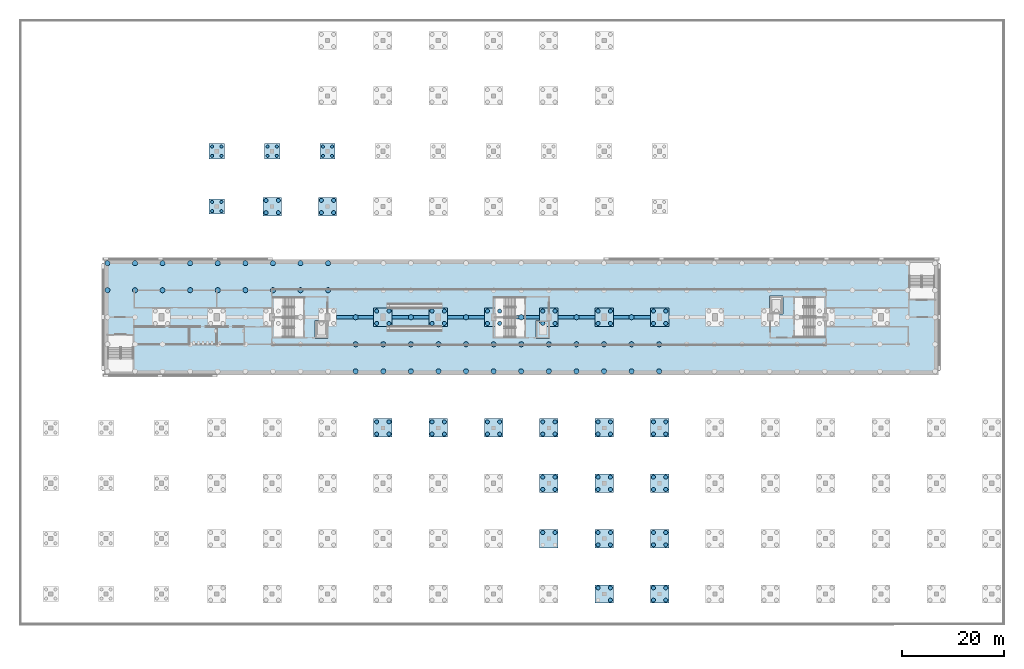
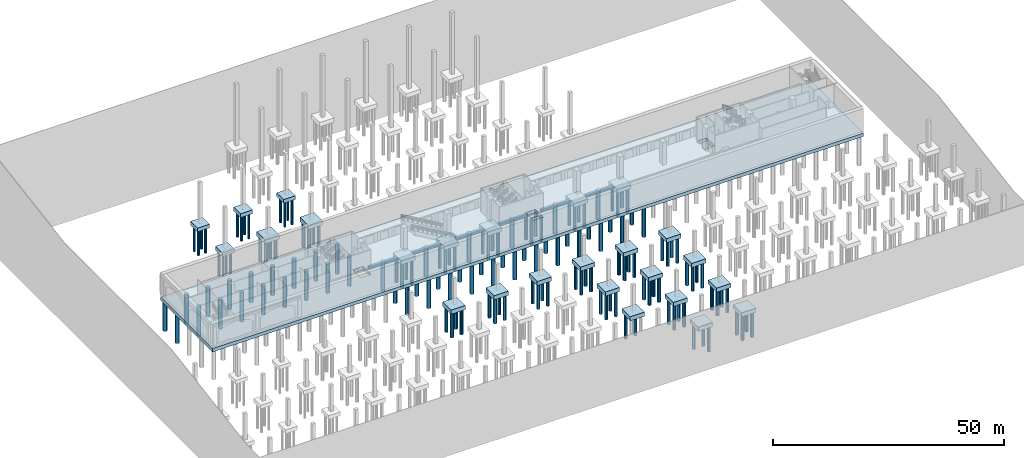
# One storey, part 2 of 39: 149 piles, 34 footings.
"""IFC4 building model written with IfcOpenShell, lengths in metres."""

from ifc_helpers import new_model, si_unit, direction, frame, origin, origin_2d, place, context, subcontext, project, spatial, polyline, rectangle, circle, outline, extrude, material, layer, layer_set, material_profile, profile_set, type_object, element, save


model = new_model("IFC4")

# Units and contexts
model_context = context("Model", 3, precision=1e-05, world=origin(), true_north=direction((0.0, 1.0)))
body_context = subcontext(model_context, "Body", "Model", "MODEL_VIEW")
ifc_project = project(units=[si_unit("LENGTHUNIT", "METRE"), si_unit("AREAUNIT", "SQUARE_METRE"), si_unit("VOLUMEUNIT", "CUBIC_METRE"), si_unit("PLANEANGLEUNIT", "RADIAN"), si_unit("MASSUNIT", "GRAM", prefix="KILO")], contexts=[model_context])

# Site, building, storey
site_placement = place(None, origin())
site = spatial("IfcSite", under=ifc_project, at=site_placement, CompositionType="ELEMENT")
building_placement = place(site_placement, origin())
building = spatial("IfcBuilding", under=site, at=building_placement, Name="Magnolia Steps Interchange", CompositionType="ELEMENT")
storey_placement = place(building_placement, frame((0.0, 0.0, -11.39990234375)))
storey = spatial("IfcBuildingStorey", under=building, at=storey_placement, Name="B2", CompositionType="ELEMENT", Elevation=-11.39990234375)

# Piles
ifc_material_1 = material(Name="Concrete C35", Category="concrete")
ifc_material_profile_1 = material_profile(ifc_material_1, circle(Radius=0.5, at=origin_2d()), Name="Bored pile 1000")
ifc_profile_set_1 = profile_set([ifc_material_profile_1], Name="Concrete C35")
pile_type_1 = type_object("IfcPileType", Name="Bored pile 1000", PredefinedType="BORED", material=ifc_profile_set_1)
for number, where, z_axis, x_axis, name in (
    (1, (21.050048828125, 69.27490234375, -1.300048828125), (0.0, 0.0, -1.0), (1.0, 0.0, 0.0), "Raft pile 1-4"),
    (2, (21.050048828125, 74.550048828125, -1.300048828125), (0.0, 0.0, -1.0), (1.0, 0.0, 0.0), "Raft pile 1-5"),
    (3, (26.433349609375, 69.27490234375, -1.300048828125), (0.0, 0.0, -1.0), (1.0, 0.0, 0.0), "Raft pile 2-4"),
    (4, (26.433349609375, 74.550048828125, -1.300048828125), (0.0, 0.0, -1.0), (1.0, 0.0, 0.0), "Raft pile 2-5"),
    (5, (31.816650390625, 69.27490234375, -1.300048828125), (0.0, 0.0, -1.0), (1.0, 0.0, 0.0), "Raft pile 3-4"),
    (6, (31.816650390625, 74.550048828125, -1.300048828125), (0.0, 0.0, -1.0), (1.0, 0.0, 0.0), "Raft pile 3-5"),
    (7, (37.199951171875, 69.27490234375, -1.300048828125), (0.0, 0.0, -1.0), (1.0, 0.0, 0.0), "Raft pile 4-4"),
    (8, (37.199951171875, 74.550048828125, -1.300048828125), (0.0, 0.0, -1.0), (1.0, 0.0, 0.0), "Raft pile 4-5"),
    (9, (42.583251953125, 69.27490234375, -1.300048828125), (0.0, 0.0, -1.0), (1.0, 0.0, 0.0), "Raft pile 5-4"),
    (10, (42.583251953125, 74.550048828125, -1.300048828125), (0.0, 0.0, -1.0), (1.0, 0.0, 0.0), "Raft pile 5-5"),
    (11, (47.966796875, 69.27490234375, -1.300048828125), (0.0, 0.0, -1.0), (1.0, 0.0, 0.0), "Raft pile 6-4"),
    (12, (47.966796875, 74.550048828125, -1.300048828125), (0.0, 0.0, -1.0), (1.0, 0.0, 0.0), "Raft pile 6-5"),
    (13, (53.35009765625, 69.27490234375, -1.300048828125), (0.0, 0.0, -1.0), (1.0, 0.0, 0.0), "Raft pile 7-4"),
    (14, (53.35009765625, 74.550048828125, -1.300048828125), (0.0, 0.0, -1.0), (1.0, 0.0, 0.0), "Raft pile 7-5"),
    (15, (58.7333984375, 69.27490234375, -1.300048828125), (0.0, 0.0, -1.0), (1.0, 0.0, 0.0), "Raft pile 8-4"),
    (16, (58.7333984375, 74.550048828125, -1.300048828125), (0.0, 0.0, -1.0), (1.0, 0.0, 0.0), "Raft pile 8-5"),
    (17, (64.11669921875, 69.27490234375, -1.300048828125), (0.0, 0.0, -1.0), (1.0, 0.0, 0.0), "Raft pile 9-4"),
    (18, (64.11669921875, 74.550048828125, -1.300048828125), (0.0, 0.0, -1.0), (1.0, 0.0, 0.0), "Raft pile 9-5"),
    (19, (69.5, 53.449951171875, -1.300048828125), (0.0, 0.0, -1.0), (1.0, 0.0, 0.0), "Raft pile 10-1"),
    (20, (69.5, 58.72509765625, -1.300048828125), (0.0, 0.0, -1.0), (1.0, 0.0, 0.0), "Raft pile 10-2"),
    (21, (69.5, 64.0, -1.300048828125), (0.0, 0.0, -1.0), (1.0, 0.0, 0.0), "Raft pile 10-3"),
    (22, (74.88330078125, 53.449951171875, -1.300048828125), (0.0, 0.0, -1.0), (1.0, 0.0, 0.0), "Raft pile 11-1"),
    (23, (74.88330078125, 58.72509765625, -1.300048828125), (0.0, 0.0, -1.0), (1.0, 0.0, 0.0), "Raft pile 11-2"),
    (24, (80.2666015625, 53.449951171875, -1.300048828125), (0.0, 0.0, -1.0), (1.0, 0.0, 0.0), "Raft pile 12-1"),
    (25, (80.2666015625, 58.72509765625, -1.300048828125), (0.0, 0.0, -1.0), (1.0, 0.0, 0.0), "Raft pile 12-2"),
    (26, (80.2666015625, 64.0, -1.300048828125), (0.0, 0.0, -1.0), (1.0, 0.0, 0.0), "Raft pile 12-3"),
    (27, (85.64990234375, 53.449951171875, -1.300048828125), (0.0, 0.0, -1.0), (1.0, 0.0, 0.0), "Raft pile 13-1"),
    (28, (85.64990234375, 58.72509765625, -1.300048828125), (0.0, 0.0, -1.0), (1.0, 0.0, 0.0), "Raft pile 13-2"),
    (29, (91.033203125, 53.449951171875, -1.300048828125), (0.0, 0.0, -1.0), (1.0, 0.0, 0.0), "Raft pile 14-1"),
    (30, (91.033203125, 58.72509765625, -1.300048828125), (0.0, 0.0, -1.0), (1.0, 0.0, 0.0), "Raft pile 14-2"),
    (31, (91.033203125, 64.0, -1.300048828125), (0.0, 0.0, -1.0), (1.0, 0.0, 0.0), "Raft pile 14-3"),
    (32, (96.416748046875, 53.449951171875, -1.300048828125), (0.0, 0.0, -1.0), (1.0, 0.0, 0.0), "Raft pile 15-1"),
    (33, (96.416748046875, 58.72509765625, -1.300048828125), (0.0, 0.0, -1.0), (1.0, 0.0, 0.0), "Raft pile 15-2"),
    (34, (101.800048828125, 53.449951171875, -1.300048828125), (0.0, 0.0, -1.0), (1.0, 0.0, 0.0), "Raft pile 16-1"),
    (35, (101.800048828125, 58.72509765625, -1.300048828125), (0.0, 0.0, -1.0), (1.0, 0.0, 0.0), "Raft pile 16-2"),
    (36, (101.800048828125, 64.0, -1.300048828125), (0.0, 0.0, -1.0), (1.0, 0.0, 0.0), "Raft pile 16-3"),
    (37, (107.183349609375, 53.449951171875, -1.300048828125), (0.0, 0.0, -1.0), (1.0, 0.0, 0.0), "Raft pile 17-1"),
    (38, (107.183349609375, 58.72509765625, -1.300048828125), (0.0, 0.0, -1.0), (1.0, 0.0, 0.0), "Raft pile 17-2"),
    (39, (112.566650390625, 53.449951171875, -1.300048828125), (0.0, 0.0, -1.0), (1.0, 0.0, 0.0), "Raft pile 18-1"),
    (40, (112.566650390625, 58.72509765625, -1.300048828125), (0.0, 0.0, -1.0), (1.0, 0.0, 0.0), "Raft pile 18-2"),
    (41, (112.566650390625, 64.0, -1.300048828125), (0.0, 0.0, -1.0), (1.0, 0.0, 0.0), "Raft pile 18-3"),
    (42, (117.949951171875, 53.449951171875, -1.300048828125), (0.0, 0.0, -1.0), (1.0, 0.0, 0.0), "Raft pile 19-1"),
    (43, (117.949951171875, 58.72509765625, -1.300048828125), (0.0, 0.0, -1.0), (1.0, 0.0, 0.0), "Raft pile 19-2"),
    (44, (123.333251953125, 53.449951171875, -1.300048828125), (0.0, 0.0, -1.0), (1.0, 0.0, 0.0), "Raft pile 20-1"),
    (45, (123.333251953125, 58.72509765625, -1.300048828125), (0.0, 0.0, -1.0), (1.0, 0.0, 0.0), "Raft pile 20-2"),
    (46, (123.333251953125, 64.0, -1.300048828125), (0.0, 0.0, -1.0), (1.0, 0.0, 0.0), "Raft pile 20-3"),
    (47, (128.716796875, 53.449951171875, -1.300048828125), (0.0, 0.0, -1.0), (1.0, 0.0, 0.0), "Raft pile 21-1"),
    (48, (128.716796875, 58.72509765625, -1.300048828125), (0.0, 0.0, -1.0), (1.0, 0.0, 0.0), "Raft pile 21-2"),
):
    element("IfcPile", number, at=place(storey_placement, frame(where, z_axis=z_axis, x_axis=x_axis)), inside=storey, type_object=pile_type_1, Name=name, PredefinedType="BORED", context=body_context, shape_type="SweptSolid", body=[
        extrude(circle(Radius=0.5, at=origin_2d()), origin(), (0.0, 0.0, 1.0), 7.800048828125),
    ])
ifc_material_2 = material(Name="Concrete C35", Category="concrete")
ifc_material_profile_2 = material_profile(ifc_material_2, circle(Radius=0.300048828125, at=origin_2d()), Name="Bored pile 600")
ifc_profile_set_2 = profile_set([ifc_material_profile_2], Name="Concrete C35")
pile_type_2 = type_object("IfcPileType", Name="Bored pile 600", PredefinedType="BORED", material=ifc_profile_set_2)
for number, where, z_axis, x_axis, name in (
    (49, (41.5, 84.699951171875, -2.300048828125), (0.0, 0.0, -1.0), (1.0, 0.0, 0.0), "Bored pile 42.4-85.6-1"),
    (50, (43.300048828125, 84.699951171875, -2.300048828125), (0.0, 0.0, -1.0), (1.0, 0.0, 0.0), "Bored pile 42.4-85.6-2"),
    (51, (43.300048828125, 86.5, -2.300048828125), (0.0, 0.0, -1.0), (1.0, 0.0, 0.0), "Bored pile 42.4-85.6-3"),
    (52, (41.5, 86.5, -2.300048828125), (0.0, 0.0, -1.0), (1.0, 0.0, 0.0), "Bored pile 42.4-85.6-4"),
    (53, (41.5, 95.5, -2.300048828125), (0.0, 0.0, -1.0), (1.0, 0.0, 0.0), "Bored pile 42.4-96.4-1"),
    (54, (43.300048828125, 95.5, -2.300048828125), (0.0, 0.0, -1.0), (1.0, 0.0, 0.0), "Bored pile 42.4-96.4-2"),
    (55, (43.300048828125, 97.300048828125, -2.300048828125), (0.0, 0.0, -1.0), (1.0, 0.0, 0.0), "Bored pile 42.4-96.4-3"),
    (56, (41.5, 97.300048828125, -2.300048828125), (0.0, 0.0, -1.0), (1.0, 0.0, 0.0), "Bored pile 42.4-96.4-4"),
    (57, (52.300048828125, 95.5, -2.300048828125), (0.0, 0.0, -1.0), (1.0, 0.0, 0.0), "Bored pile 53.2-96.4-1"),
    (58, (54.10009765625, 95.5, -2.300048828125), (0.0, 0.0, -1.0), (1.0, 0.0, 0.0), "Bored pile 53.2-96.4-2"),
    (59, (54.10009765625, 97.300048828125, -2.300048828125), (0.0, 0.0, -1.0), (1.0, 0.0, 0.0), "Bored pile 53.2-96.4-3"),
    (60, (52.300048828125, 97.300048828125, -2.300048828125), (0.0, 0.0, -1.0), (1.0, 0.0, 0.0), "Bored pile 53.2-96.4-4"),
    (61, (63.10009765625, 95.5, -2.300048828125), (0.0, 0.0, -1.0), (1.0, 0.0, 0.0), "Bored pile 64.0-96.4-1"),
    (62, (64.89990234375, 95.5, -2.300048828125), (0.0, 0.0, -1.0), (1.0, 0.0, 0.0), "Bored pile 64.0-96.4-2"),
    (63, (64.89990234375, 97.300048828125, -2.300048828125), (0.0, 0.0, -1.0), (1.0, 0.0, 0.0), "Bored pile 64.0-96.4-3"),
    (64, (63.10009765625, 97.300048828125, -2.300048828125), (0.0, 0.0, -1.0), (1.0, 0.0, 0.0), "Bored pile 64.0-96.4-4"),
):
    element("IfcPile", number, at=place(storey_placement, frame(where, z_axis=z_axis, x_axis=x_axis)), inside=storey, type_object=pile_type_2, Name=name, PredefinedType="BORED", context=body_context, shape_type="SweptSolid", body=[
        extrude(circle(Radius=0.300048828125, at=origin_2d()), origin(), (0.0, 0.0, 1.0), 6.800048828125),
    ])
ifc_material_3 = material(Name="Concrete C35", Category="concrete")
ifc_material_profile_3 = material_profile(ifc_material_3, circle(Radius=0.39990234375, at=origin_2d()), Name="Bored pile 800")
ifc_profile_set_3 = profile_set([ifc_material_profile_3], Name="Concrete C35")
pile_type_3 = type_object("IfcPileType", Name="Bored pile 800", PredefinedType="BORED", material=ifc_profile_set_3)
for number, where, z_axis, x_axis, name in (
    (65, (73.60009765625, 62.800048828125, -2.400146484375), (0.0, 0.0, -1.0), (1.0, 0.0, 0.0), "Bored pile 74.8-64.0-1"),
    (66, (76.0, 62.800048828125, -2.400146484375), (0.0, 0.0, -1.0), (1.0, 0.0, 0.0), "Bored pile 74.8-64.0-2"),
    (67, (76.0, 65.199951171875, -2.400146484375), (0.0, 0.0, -1.0), (1.0, 0.0, 0.0), "Bored pile 74.8-64.0-3"),
    (68, (73.60009765625, 65.199951171875, -2.400146484375), (0.0, 0.0, -1.0), (1.0, 0.0, 0.0), "Bored pile 74.8-64.0-4"),
    (69, (84.39990234375, 62.800048828125, -2.400146484375), (0.0, 0.0, -1.0), (1.0, 0.0, 0.0), "Bored pile 85.6-64.0-1"),
    (70, (86.800048828125, 62.800048828125, -2.400146484375), (0.0, 0.0, -1.0), (1.0, 0.0, 0.0), "Bored pile 85.6-64.0-2"),
    (71, (86.800048828125, 65.199951171875, -2.400146484375), (0.0, 0.0, -1.0), (1.0, 0.0, 0.0), "Bored pile 85.6-64.0-3"),
    (72, (84.39990234375, 65.199951171875, -2.400146484375), (0.0, 0.0, -1.0), (1.0, 0.0, 0.0), "Bored pile 85.6-64.0-4"),
    (73, (95.199951171875, 62.800048828125, -2.400146484375), (0.0, 0.0, -1.0), (1.0, 0.0, 0.0), "Bored pile 96.4-64.0-1"),
    (74, (97.60009765625, 62.800048828125, -2.400146484375), (0.0, 0.0, -1.0), (1.0, 0.0, 0.0), "Bored pile 96.4-64.0-2"),
    (75, (97.60009765625, 65.199951171875, -2.400146484375), (0.0, 0.0, -1.0), (1.0, 0.0, 0.0), "Bored pile 96.4-64.0-3"),
    (76, (95.199951171875, 65.199951171875, -2.400146484375), (0.0, 0.0, -1.0), (1.0, 0.0, 0.0), "Bored pile 96.4-64.0-4"),
    (77, (106.0, 62.800048828125, -2.400146484375), (0.0, 0.0, -1.0), (1.0, 0.0, 0.0), "Bored pile 107.2-64.0-1"),
    (78, (108.39990234375, 62.800048828125, -2.400146484375), (0.0, 0.0, -1.0), (1.0, 0.0, 0.0), "Bored pile 107.2-64.0-2"),
    (79, (108.39990234375, 65.199951171875, -2.400146484375), (0.0, 0.0, -1.0), (1.0, 0.0, 0.0), "Bored pile 107.2-64.0-3"),
    (80, (106.0, 65.199951171875, -2.400146484375), (0.0, 0.0, -1.0), (1.0, 0.0, 0.0), "Bored pile 107.2-64.0-4"),
    (81, (116.800048828125, 62.800048828125, -2.400146484375), (0.0, 0.0, -1.0), (1.0, 0.0, 0.0), "Bored pile 118.0-64.0-1"),
    (82, (119.199951171875, 62.800048828125, -2.400146484375), (0.0, 0.0, -1.0), (1.0, 0.0, 0.0), "Bored pile 118.0-64.0-2"),
    (83, (119.199951171875, 65.199951171875, -2.400146484375), (0.0, 0.0, -1.0), (1.0, 0.0, 0.0), "Bored pile 118.0-64.0-3"),
    (84, (116.800048828125, 65.199951171875, -2.400146484375), (0.0, 0.0, -1.0), (1.0, 0.0, 0.0), "Bored pile 118.0-64.0-4"),
    (85, (127.60009765625, 62.800048828125, -2.400146484375), (0.0, 0.0, -1.0), (1.0, 0.0, 0.0), "Bored pile 128.8-64.0-1"),
    (86, (130.0, 62.800048828125, -2.400146484375), (0.0, 0.0, -1.0), (1.0, 0.0, 0.0), "Bored pile 128.8-64.0-2"),
    (87, (130.0, 65.199951171875, -2.400146484375), (0.0, 0.0, -1.0), (1.0, 0.0, 0.0), "Bored pile 128.8-64.0-3"),
    (88, (127.60009765625, 65.199951171875, -2.400146484375), (0.0, 0.0, -1.0), (1.0, 0.0, 0.0), "Bored pile 128.8-64.0-4"),
    (89, (73.60009765625, 41.199951171875, -2.400146484375), (0.0, 0.0, -1.0), (1.0, 0.0, 0.0), "Bored pile 74.8-42.4-1"),
    (90, (76.0, 41.199951171875, -2.400146484375), (0.0, 0.0, -1.0), (1.0, 0.0, 0.0), "Bored pile 74.8-42.4-2"),
    (91, (76.0, 43.60009765625, -2.400146484375), (0.0, 0.0, -1.0), (1.0, 0.0, 0.0), "Bored pile 74.8-42.4-3"),
    (92, (73.60009765625, 43.60009765625, -2.400146484375), (0.0, 0.0, -1.0), (1.0, 0.0, 0.0), "Bored pile 74.8-42.4-4"),
    (93, (84.39990234375, 41.199951171875, -2.400146484375), (0.0, 0.0, -1.0), (1.0, 0.0, 0.0), "Bored pile 85.6-42.4-1"),
    (94, (86.800048828125, 41.199951171875, -2.400146484375), (0.0, 0.0, -1.0), (1.0, 0.0, 0.0), "Bored pile 85.6-42.4-2"),
    (95, (86.800048828125, 43.60009765625, -2.400146484375), (0.0, 0.0, -1.0), (1.0, 0.0, 0.0), "Bored pile 85.6-42.4-3"),
    (96, (84.39990234375, 43.60009765625, -2.400146484375), (0.0, 0.0, -1.0), (1.0, 0.0, 0.0), "Bored pile 85.6-42.4-4"),
    (97, (95.199951171875, 41.199951171875, -2.400146484375), (0.0, 0.0, -1.0), (1.0, 0.0, 0.0), "Bored pile 96.4-42.4-1"),
    (98, (97.60009765625, 41.199951171875, -2.400146484375), (0.0, 0.0, -1.0), (1.0, 0.0, 0.0), "Bored pile 96.4-42.4-2"),
    (99, (97.60009765625, 43.60009765625, -2.400146484375), (0.0, 0.0, -1.0), (1.0, 0.0, 0.0), "Bored pile 96.4-42.4-3"),
    (100, (95.199951171875, 43.60009765625, -2.400146484375), (0.0, 0.0, -1.0), (1.0, 0.0, 0.0), "Bored pile 96.4-42.4-4"),
    (101, (106.0, 41.199951171875, -2.400146484375), (0.0, 0.0, -1.0), (1.0, 0.0, 0.0), "Bored pile 107.2-42.4-1"),
    (102, (108.39990234375, 41.199951171875, -2.400146484375), (0.0, 0.0, -1.0), (1.0, 0.0, 0.0), "Bored pile 107.2-42.4-2"),
    (103, (108.39990234375, 43.60009765625, -2.400146484375), (0.0, 0.0, -1.0), (1.0, 0.0, 0.0), "Bored pile 107.2-42.4-3"),
    (104, (106.0, 43.60009765625, -2.400146484375), (0.0, 0.0, -1.0), (1.0, 0.0, 0.0), "Bored pile 107.2-42.4-4"),
    (105, (116.800048828125, 41.199951171875, -2.400146484375), (0.0, 0.0, -1.0), (1.0, 0.0, 0.0), "Bored pile 118.0-42.4-1"),
    (106, (119.199951171875, 41.199951171875, -2.400146484375), (0.0, 0.0, -1.0), (1.0, 0.0, 0.0), "Bored pile 118.0-42.4-2"),
    (107, (119.199951171875, 43.60009765625, -2.400146484375), (0.0, 0.0, -1.0), (1.0, 0.0, 0.0), "Bored pile 118.0-42.4-3"),
    (108, (116.800048828125, 43.60009765625, -2.400146484375), (0.0, 0.0, -1.0), (1.0, 0.0, 0.0), "Bored pile 118.0-42.4-4"),
    (109, (127.60009765625, 41.199951171875, -2.400146484375), (0.0, 0.0, -1.0), (1.0, 0.0, 0.0), "Bored pile 128.8-42.4-1"),
    (110, (130.0, 41.199951171875, -2.400146484375), (0.0, 0.0, -1.0), (1.0, 0.0, 0.0), "Bored pile 128.8-42.4-2"),
    (111, (130.0, 43.60009765625, -2.400146484375), (0.0, 0.0, -1.0), (1.0, 0.0, 0.0), "Bored pile 128.8-42.4-3"),
    (112, (127.60009765625, 43.60009765625, -2.400146484375), (0.0, 0.0, -1.0), (1.0, 0.0, 0.0), "Bored pile 128.8-42.4-4"),
    (113, (108.39990234375, 22.0, -2.400146484375), (0.0, 0.0, -1.0), (1.0, 0.0, 0.0), "Bored pile 107.2-20.8-3"),
    (114, (106.0, 22.0, -2.400146484375), (0.0, 0.0, -1.0), (1.0, 0.0, 0.0), "Bored pile 107.2-20.8-4"),
    (115, (106.0, 30.39990234375, -2.400146484375), (0.0, 0.0, -1.0), (1.0, 0.0, 0.0), "Bored pile 107.2-31.6-1"),
    (116, (108.39990234375, 30.39990234375, -2.400146484375), (0.0, 0.0, -1.0), (1.0, 0.0, 0.0), "Bored pile 107.2-31.6-2"),
    (117, (108.39990234375, 32.800048828125, -2.400146484375), (0.0, 0.0, -1.0), (1.0, 0.0, 0.0), "Bored pile 107.2-31.6-3"),
    (118, (106.0, 32.800048828125, -2.400146484375), (0.0, 0.0, -1.0), (1.0, 0.0, 0.0), "Bored pile 107.2-31.6-4"),
    (119, (119.199951171875, 8.800048828125, -2.400146484375), (0.0, 0.0, -1.0), (1.0, 0.0, 0.0), "Bored pile 118.0-10.0-2"),
    (120, (119.199951171875, 11.199951171875, -2.400146484375), (0.0, 0.0, -1.0), (1.0, 0.0, 0.0), "Bored pile 118.0-10.0-3"),
    (121, (116.800048828125, 11.199951171875, -2.400146484375), (0.0, 0.0, -1.0), (1.0, 0.0, 0.0), "Bored pile 118.0-10.0-4"),
    (122, (116.800048828125, 19.60009765625, -2.400146484375), (0.0, 0.0, -1.0), (1.0, 0.0, 0.0), "Bored pile 118.0-20.8-1"),
    (123, (119.199951171875, 19.60009765625, -2.400146484375), (0.0, 0.0, -1.0), (1.0, 0.0, 0.0), "Bored pile 118.0-20.8-2"),
    (124, (119.199951171875, 22.0, -2.400146484375), (0.0, 0.0, -1.0), (1.0, 0.0, 0.0), "Bored pile 118.0-20.8-3"),
    (125, (116.800048828125, 22.0, -2.400146484375), (0.0, 0.0, -1.0), (1.0, 0.0, 0.0), "Bored pile 118.0-20.8-4"),
    (126, (116.800048828125, 30.39990234375, -2.400146484375), (0.0, 0.0, -1.0), (1.0, 0.0, 0.0), "Bored pile 118.0-31.6-1"),
    (127, (119.199951171875, 30.39990234375, -2.400146484375), (0.0, 0.0, -1.0), (1.0, 0.0, 0.0), "Bored pile 118.0-31.6-2"),
    (128, (119.199951171875, 32.800048828125, -2.400146484375), (0.0, 0.0, -1.0), (1.0, 0.0, 0.0), "Bored pile 118.0-31.6-3"),
    (129, (116.800048828125, 32.800048828125, -2.400146484375), (0.0, 0.0, -1.0), (1.0, 0.0, 0.0), "Bored pile 118.0-31.6-4"),
    (130, (127.60009765625, 8.800048828125, -2.400146484375), (0.0, 0.0, -1.0), (1.0, 0.0, 0.0), "Bored pile 128.8-10.0-1"),
    (131, (130.0, 8.800048828125, -2.400146484375), (0.0, 0.0, -1.0), (1.0, 0.0, 0.0), "Bored pile 128.8-10.0-2"),
    (132, (130.0, 11.199951171875, -2.400146484375), (0.0, 0.0, -1.0), (1.0, 0.0, 0.0), "Bored pile 128.8-10.0-3"),
    (133, (127.60009765625, 11.199951171875, -2.400146484375), (0.0, 0.0, -1.0), (1.0, 0.0, 0.0), "Bored pile 128.8-10.0-4"),
    (134, (127.60009765625, 19.60009765625, -2.400146484375), (0.0, 0.0, -1.0), (1.0, 0.0, 0.0), "Bored pile 128.8-20.8-1"),
    (135, (130.0, 19.60009765625, -2.400146484375), (0.0, 0.0, -1.0), (1.0, 0.0, 0.0), "Bored pile 128.8-20.8-2"),
    (136, (130.0, 22.0, -2.400146484375), (0.0, 0.0, -1.0), (1.0, 0.0, 0.0), "Bored pile 128.8-20.8-3"),
    (137, (127.60009765625, 22.0, -2.400146484375), (0.0, 0.0, -1.0), (1.0, 0.0, 0.0), "Bored pile 128.8-20.8-4"),
    (138, (127.60009765625, 30.39990234375, -2.400146484375), (0.0, 0.0, -1.0), (1.0, 0.0, 0.0), "Bored pile 128.8-31.6-1"),
    (139, (130.0, 30.39990234375, -2.400146484375), (0.0, 0.0, -1.0), (1.0, 0.0, 0.0), "Bored pile 128.8-31.6-2"),
    (140, (130.0, 32.800048828125, -2.400146484375), (0.0, 0.0, -1.0), (1.0, 0.0, 0.0), "Bored pile 128.8-31.6-3"),
    (141, (127.60009765625, 32.800048828125, -2.400146484375), (0.0, 0.0, -1.0), (1.0, 0.0, 0.0), "Bored pile 128.8-31.6-4"),
    (142, (52.0, 84.39990234375, -2.400146484375), (0.0, 0.0, -1.0), (1.0, 0.0, 0.0), "Bored pile 53.2-85.6-1"),
    (143, (54.39990234375, 84.39990234375, -2.400146484375), (0.0, 0.0, -1.0), (1.0, 0.0, 0.0), "Bored pile 53.2-85.6-2"),
    (144, (54.39990234375, 86.800048828125, -2.400146484375), (0.0, 0.0, -1.0), (1.0, 0.0, 0.0), "Bored pile 53.2-85.6-3"),
    (145, (52.0, 86.800048828125, -2.400146484375), (0.0, 0.0, -1.0), (1.0, 0.0, 0.0), "Bored pile 53.2-85.6-4"),
    (146, (62.800048828125, 84.39990234375, -2.400146484375), (0.0, 0.0, -1.0), (1.0, 0.0, 0.0), "Bored pile 64.0-85.6-1"),
    (147, (65.199951171875, 84.39990234375, -2.400146484375), (0.0, 0.0, -1.0), (1.0, 0.0, 0.0), "Bored pile 64.0-85.6-2"),
    (148, (65.199951171875, 86.800048828125, -2.400146484375), (0.0, 0.0, -1.0), (1.0, 0.0, 0.0), "Bored pile 64.0-85.6-3"),
    (149, (62.800048828125, 86.800048828125, -2.400146484375), (0.0, 0.0, -1.0), (1.0, 0.0, 0.0), "Bored pile 64.0-85.6-4"),
):
    element("IfcPile", number, at=place(storey_placement, frame(where, z_axis=z_axis, x_axis=x_axis)), inside=storey, type_object=pile_type_3, Name=name, PredefinedType="BORED", context=body_context, shape_type="SweptSolid", body=[
        extrude(circle(Radius=0.39990234375, at=origin_2d()), origin(), (0.0, 0.0, 1.0), 6.699951171875),
    ])

# Footings
ifc_material_4 = material(Name="Concrete C40", Category="concrete")
ifc_material_profile_4 = material_profile(ifc_material_4, rectangle(XDim=0.60009765625, YDim=0.800048828125, at=origin_2d()), Name="RC600x800")
ifc_profile_set_4 = profile_set([ifc_material_profile_4], Name="Concrete C40")
footing_type_1 = type_object("IfcFootingType", Name="Ground beam 600 x 800", PredefinedType="FOOTING_BEAM", material=ifc_profile_set_4)
for number, where, z_axis, x_axis, name in (
    (150, (65.800048828125, 64.0, -1.800048828125), (1.0, 0.0, 0.0), (0.0, 1.0, 0.0), "Ground beam"),
    (151, (76.60009765625, 64.0, -1.800048828125), (1.0, 0.0, 0.0), (0.0, 1.0, 0.0), "Ground beam"),
):
    element("IfcFooting", number, at=place(storey_placement, frame(where, z_axis=z_axis, x_axis=x_axis)), inside=storey, type_object=footing_type_1, Name=name, PredefinedType="FOOTING_BEAM", context=body_context, shape_type="SweptSolid", body=[
        extrude(rectangle(XDim=0.60009765625, YDim=0.800048828125, at=origin_2d()), origin(), (0.0, 0.0, 1.0), 7.199951171875),
    ])
footing_1_placement = place(storey_placement, frame((87.39990234375, 64.0, -1.800048828125), z_axis=(1.0, 0.0, 0.0), x_axis=(0.0, 1.0, 0.0)))
element("IfcFooting", 152, at=footing_1_placement, inside=storey, type_object=footing_type_1, Name="Ground beam", PredefinedType="FOOTING_BEAM", context=body_context, shape_type="SweptSolid", body=[
    extrude(rectangle(XDim=0.60009765625, YDim=0.800048828125, at=origin_2d()), origin(), (0.0, 0.0, 1.0), 7.2001953125),
])
for number, where, z_axis, x_axis, name in (
    (153, (98.199951171875, 64.0, -1.800048828125), (1.0, 0.0, 0.0), (0.0, 1.0, 0.0), "Ground beam"),
    (154, (109.0, 64.0, -1.800048828125), (1.0, 0.0, 0.0), (0.0, 1.0, 0.0), "Ground beam"),
    (155, (119.800048828125, 64.0, -1.800048828125), (1.0, 0.0, 0.0), (0.0, 1.0, 0.0), "Ground beam"),
):
    element("IfcFooting", number, at=place(storey_placement, frame(where, z_axis=z_axis, x_axis=x_axis)), inside=storey, type_object=footing_type_1, Name=name, PredefinedType="FOOTING_BEAM", context=body_context, shape_type="SweptSolid", body=[
        extrude(rectangle(XDim=0.60009765625, YDim=0.800048828125, at=origin_2d()), origin(), (0.0, 0.0, 1.0), 7.199951171875),
    ])
ifc_material_5 = material(Name="Concrete C40", Category="concrete")
ifc_layer_1 = layer(ifc_material_5, 0.39990234375)
ifc_layer_set_1 = layer_set([ifc_layer_1], Name="Lift pit foundation 400")
footing_type_2 = type_object("IfcFootingType", Name="Lift pit foundation 400", PredefinedType="PAD_FOOTING", material=ifc_layer_set_1)
footing_2_placement = place(storey_placement, frame((0.0, 0.0, -2.0)))
element("IfcFooting", 156, at=footing_2_placement, inside=storey, type_object=footing_type_2, Name="Lift pit foundation PC2", PredefinedType="PAD_FOOTING", context=body_context, shape_type="SweptSolid", body=[
    extrude(outline(polyline([(107.324951171875, 59.875), (107.324951171875, 62.199951171875), (105.39990234375, 62.199951171875), (105.39990234375, 63.324951171875), (104.72509765625, 63.324951171875), (104.72509765625, 59.875), (107.324951171875, 59.875)])), origin(), (0.0, 0.0, 1.0), 0.39990234375),
])
ifc_material_6 = material(Name="Concrete C40", Category="concrete")
footing_type_3 = type_object("IfcFootingType", Name="Pile cap 3000 x 3000 x 1000", PredefinedType="PILE_CAP", material=ifc_material_6)
for number, where, z_axis, x_axis, name in (
    (157, (42.39990234375, 85.60009765625, -2.400146484375), (0.0, 0.0, 1.0), (1.0, 0.0, 0.0), "Pile cap 42.4-85.6"),
    (158, (42.39990234375, 96.39990234375, -2.400146484375), (0.0, 0.0, 1.0), (1.0, 0.0, 0.0), "Pile cap 42.4-96.4"),
    (159, (53.199951171875, 96.39990234375, -2.400146484375), (0.0, 0.0, 1.0), (1.0, 0.0, 0.0), "Pile cap 53.2-96.4"),
    (160, (64.0, 96.39990234375, -2.400146484375), (0.0, 0.0, 1.0), (1.0, 0.0, 0.0), "Pile cap 64.0-96.4"),
):
    element("IfcFooting", number, at=place(storey_placement, frame(where, z_axis=z_axis, x_axis=x_axis)), inside=storey, type_object=footing_type_3, Name=name, PredefinedType="PILE_CAP", context=body_context, shape_type="SweptSolid", body=[
        extrude(rectangle(XDim=3.0, YDim=3.0, at=origin_2d()), origin(), (0.0, 0.0, 1.0), 1.0),
    ])
ifc_material_7 = material(Name="Concrete C40", Category="concrete")
footing_type_4 = type_object("IfcFootingType", Name="Pile cap 3600 x 3600 x 1100", PredefinedType="PILE_CAP", material=ifc_material_7)
for number, where, z_axis, x_axis, name in (
    (161, (74.800048828125, 64.0, -2.500244140625), (0.0, 0.0, 1.0), (1.0, 0.0, 0.0), "Pile cap 74.8-64.0"),
    (162, (85.60009765625, 64.0, -2.500244140625), (0.0, 0.0, 1.0), (1.0, 0.0, 0.0), "Pile cap 85.6-64.0"),
    (163, (96.39990234375, 64.0, -2.500244140625), (0.0, 0.0, 1.0), (1.0, 0.0, 0.0), "Pile cap 96.4-64.0"),
    (164, (107.199951171875, 64.0, -2.500244140625), (0.0, 0.0, 1.0), (1.0, 0.0, 0.0), "Pile cap 107.2-64.0"),
    (165, (118.0, 64.0, -2.500244140625), (0.0, 0.0, 1.0), (1.0, 0.0, 0.0), "Pile cap 118.0-64.0"),
    (166, (128.800048828125, 64.0, -2.500244140625), (0.0, 0.0, 1.0), (1.0, 0.0, 0.0), "Pile cap 128.8-64.0"),
    (167, (74.800048828125, 42.39990234375, -2.500244140625), (0.0, 0.0, 1.0), (1.0, 0.0, 0.0), "Pile cap 74.8-42.4"),
    (168, (85.60009765625, 42.39990234375, -2.500244140625), (0.0, 0.0, 1.0), (1.0, 0.0, 0.0), "Pile cap 85.6-42.4"),
    (169, (96.39990234375, 42.39990234375, -2.500244140625), (0.0, 0.0, 1.0), (1.0, 0.0, 0.0), "Pile cap 96.4-42.4"),
    (170, (107.199951171875, 42.39990234375, -2.500244140625), (0.0, 0.0, 1.0), (1.0, 0.0, 0.0), "Pile cap 107.2-42.4"),
    (171, (118.0, 42.39990234375, -2.500244140625), (0.0, 0.0, 1.0), (1.0, 0.0, 0.0), "Pile cap 118.0-42.4"),
    (172, (128.800048828125, 42.39990234375, -2.500244140625), (0.0, 0.0, 1.0), (1.0, 0.0, 0.0), "Pile cap 128.8-42.4"),
    (173, (107.199951171875, 20.800048828125, -2.500244140625), (0.0, 0.0, 1.0), (1.0, 0.0, 0.0), "Pile cap 107.2-20.8"),
    (174, (107.199951171875, 31.60009765625, -2.500244140625), (0.0, 0.0, 1.0), (1.0, 0.0, 0.0), "Pile cap 107.2-31.6"),
    (175, (118.0, 10.0, -2.500244140625), (0.0, 0.0, 1.0), (1.0, 0.0, 0.0), "Pile cap 118.0-10.0"),
    (176, (118.0, 20.800048828125, -2.500244140625), (0.0, 0.0, 1.0), (1.0, 0.0, 0.0), "Pile cap 118.0-20.8"),
    (177, (118.0, 31.60009765625, -2.500244140625), (0.0, 0.0, 1.0), (1.0, 0.0, 0.0), "Pile cap 118.0-31.6"),
    (178, (128.800048828125, 10.0, -2.500244140625), (0.0, 0.0, 1.0), (1.0, 0.0, 0.0), "Pile cap 128.8-10.0"),
    (179, (128.800048828125, 20.800048828125, -2.500244140625), (0.0, 0.0, 1.0), (1.0, 0.0, 0.0), "Pile cap 128.8-20.8"),
    (180, (128.800048828125, 31.60009765625, -2.500244140625), (0.0, 0.0, 1.0), (1.0, 0.0, 0.0), "Pile cap 128.8-31.6"),
    (181, (53.199951171875, 85.60009765625, -2.500244140625), (0.0, 0.0, 1.0), (1.0, 0.0, 0.0), "Pile cap 53.2-85.6"),
    (182, (64.0, 85.60009765625, -2.500244140625), (0.0, 0.0, 1.0), (1.0, 0.0, 0.0), "Pile cap 64.0-85.6"),
):
    element("IfcFooting", number, at=place(storey_placement, frame(where, z_axis=z_axis, x_axis=x_axis)), inside=storey, type_object=footing_type_4, Name=name, PredefinedType="PILE_CAP", context=body_context, shape_type="SweptSolid", body=[
        extrude(rectangle(XDim=3.60009765625, YDim=3.60009765625, at=origin_2d()), origin(), (0.0, 0.0, 1.0), 1.10009765625),
    ])
ifc_material_8 = material(Name="Concrete C40", Category="concrete")
ifc_layer_2 = layer(ifc_material_8, 0.89990234375)
ifc_layer_set_2 = layer_set([ifc_layer_2], Name="Raft foundation 900")
footing_type_5 = type_object("IfcFootingType", Name="Raft foundation 900", PredefinedType="USERDEFINED", material=ifc_layer_set_2)
footing_3_placement = place(storey_placement, frame((0.0, 0.0, -1.400146484375)))
element("IfcFooting", 183, at=footing_3_placement, inside=storey, type_object=footing_type_5, Name="Metro box raft foundation", ObjectType="Raft foundation", PredefinedType="USERDEFINED", context=body_context, shape_type="SweptSolid", body=[
    extrude(outline(polyline([(20.35009765625, 52.75), (183.25, 52.75), (183.25, 75.25), (20.35009765625, 75.25), (20.35009765625, 52.75)]), holes=[polyline([(64.125, 63.324951171875), (61.52490234375, 63.324951171875), (61.52490234375, 59.875), (64.125, 59.875), (64.125, 63.324951171875)]), polyline([(107.324951171875, 63.324951171875), (104.72509765625, 63.324951171875), (104.72509765625, 59.875), (107.324951171875, 59.875), (107.324951171875, 63.324951171875)]), polyline([(150.27490234375, 64.675048828125), (152.875, 64.675048828125), (152.875, 68.125), (150.27490234375, 68.125), (150.27490234375, 64.675048828125)])]), origin(), (0.0, 0.0, 1.0), 0.900146484375),
])

save(model, "model.ifc")
